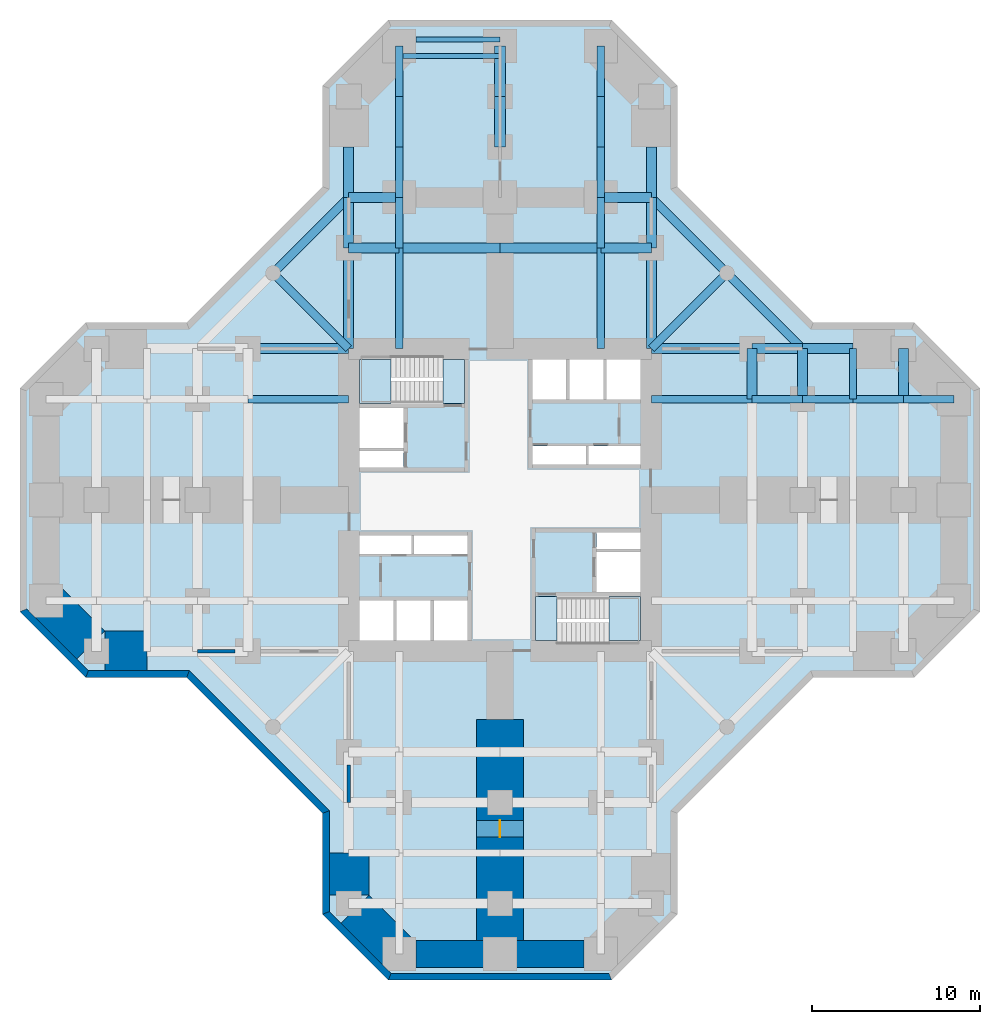
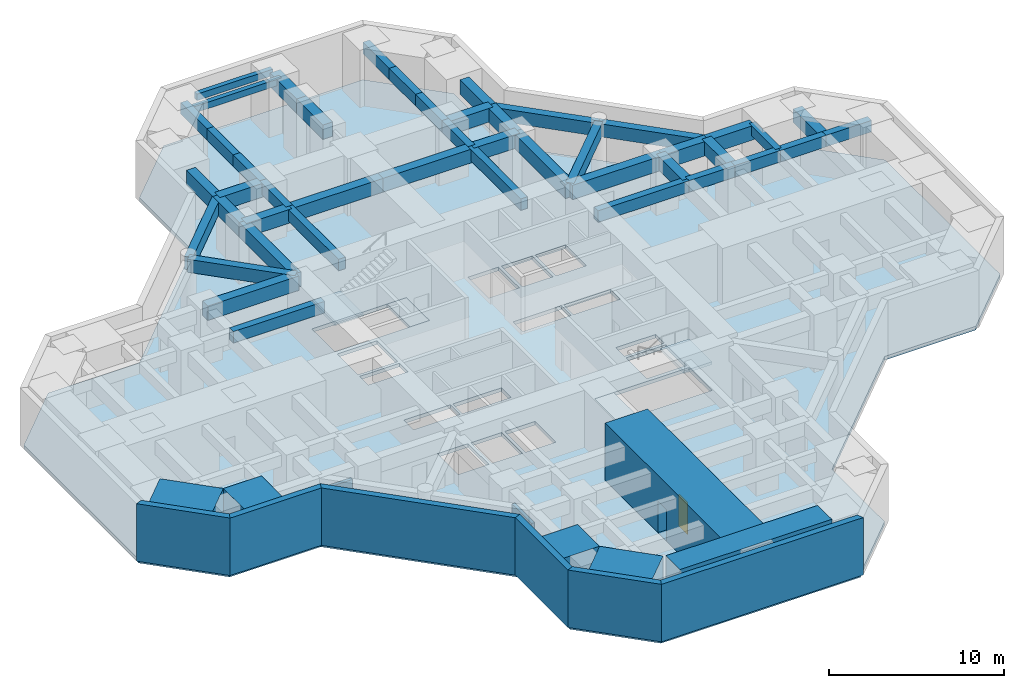
# One storey, part 2 of 6: 45 beams, 14 walls, 5 slabs, 1 door, 1 opening, 2 elements without a shape of their own.
"""IFC4 building model written with IfcOpenShell, lengths in metres."""

import ifcopenshell
import ifcopenshell.guid

model = None  # the IFC model being written
_history = None  # IfcOwnerHistory: only IFC2X3 demands one
_inside = {}  # id of a spatial element -> (the spatial element, [elements in it])
_under = {}  # id of a project, library or spatial element -> (it, [spatial elements below it])
_declared = {}  # id of a project -> (the project, [libraries it declares])
_typed = {}  # id of a type object -> (the type object, [elements of that type])
_made_of = {}  # id of a material, layer set ... -> (it, [elements and type objects made of it])


def new_model(schema):
    """Start an empty IFC model of exactly this schema.

    Asked for "IFC4X3", IfcOpenShell would pick the latest addendum, in which some entities
    have other attributes; the version numbers below select the first issue.
    IFC2X3 requires an IfcOwnerHistory on every rooted entity: one is made here for all.
    """
    global model, _history
    if schema == "IFC4X3":
        model = ifcopenshell.file(schema_version=(4, 3, 0, 0))
    else:
        model = ifcopenshell.file(schema=schema)
    _inside.clear()
    _under.clear()
    _declared.clear()
    _typed.clear()
    _made_of.clear()
    _history = None
    if model.schema == "IFC2X3":
        org = make("IfcOrganization", Name="unknown")
        user = make(
            "IfcPersonAndOrganization",
            ThePerson=make("IfcPerson", FamilyName="unknown"),
            TheOrganization=org,
        )
        app = make(
            "IfcApplication",
            ApplicationDeveloper=org,
            Version="unknown",
            ApplicationFullName="unknown",
            ApplicationIdentifier="unknown",
        )
        _history = make(
            "IfcOwnerHistory",
            OwningUser=user,
            OwningApplication=app,
            ChangeAction="ADDED",
            CreationDate=0,
        )
    return model


def make(cls, **values):
    """One entity of the class cls with the attributes given. An attribute that is None is left unset."""
    return model.create_entity(
        cls, **{name: value for name, value in values.items() if value is not None}
    )


def rooted(cls, **values):
    """An entity with a GlobalId (a new one), such as an element, a storey or a relation."""
    return make(cls, GlobalId=ifcopenshell.guid.new(), OwnerHistory=_history, **values)


def si_unit(unit_type, name, prefix=None):
    """IfcSIUnit, for example si_unit("LENGTHUNIT", "METRE", prefix="MILLI")."""
    return make("IfcSIUnit", UnitType=unit_type, Prefix=prefix, Name=name)


def assignment(units):
    """IfcUnitAssignment: the units of a project."""
    return None if units is None else make("IfcUnitAssignment", Units=units)


def point(xyz):
    """IfcCartesianPoint."""
    return None if xyz is None else make("IfcCartesianPoint", Coordinates=xyz)


def direction(xyz):
    """IfcDirection."""
    return None if xyz is None else make("IfcDirection", DirectionRatios=xyz)


def frame(location, z_axis=None, x_axis=None):
    """IfcAxis2Placement3D, a coordinate frame: its origin and axes. An axis left out is left unset."""
    return make(
        "IfcAxis2Placement3D",
        Location=point(location),
        Axis=direction(z_axis),
        RefDirection=direction(x_axis),
    )


def frame_2d(location, x_axis=None):
    """IfcAxis2Placement2D, a coordinate frame in the plane: its origin and x axis."""
    return make(
        "IfcAxis2Placement2D", Location=point(location), RefDirection=direction(x_axis)
    )


def origin():
    """The frame at (0, 0, 0) with its axes left unset."""
    return frame((0.0, 0.0, 0.0))


def origin_2d():
    """The frame at (0, 0) in the plane with its x axis left unset."""
    return frame_2d((0.0, 0.0))


def place(relative_to, where):
    """IfcLocalPlacement: puts the frame where relative to a parent placement (None: the world)."""
    return make(
        "IfcLocalPlacement", PlacementRelTo=relative_to, RelativePlacement=where
    )


def context(
    kind, dimensions, precision=None, world=None, true_north=None, identifier=None
):
    """IfcGeometricRepresentationContext, for example the 3D "Model" context."""
    return make(
        "IfcGeometricRepresentationContext",
        ContextIdentifier=identifier,
        ContextType=kind,
        CoordinateSpaceDimension=dimensions,
        Precision=precision,
        WorldCoordinateSystem=world,
        TrueNorth=true_north,
    )


def subcontext(parent, identifier, kind, view, scale=None):
    """IfcGeometricRepresentationSubContext, for example "Body" below "Model"."""
    return make(
        "IfcGeometricRepresentationSubContext",
        ContextIdentifier=identifier,
        ContextType=kind,
        ParentContext=parent,
        TargetScale=scale,
        TargetView=view,
    )


def project(units=None, contexts=None):
    """IfcProject with its units and contexts."""
    return rooted(
        "IfcProject",
        Name="project",
        RepresentationContexts=contexts,
        UnitsInContext=assignment(units),
    )


def spatial(cls, under=None, at=None, **own):
    """A site, building, storey or space (cls), placed at a placement, below another one or the project."""
    s = rooted(cls, ObjectPlacement=at, **own)
    if under is not None:
        _under.setdefault(under.id(), (under, []))[1].append(s)
    return s


def polyline(points):
    """IfcPolyline through the points."""
    return make("IfcPolyline", Points=[point(p) for p in points])


def profile(cls, at=None, kind="AREA", **sizes):
    """A parametric profile (cls). Its sizes go by their IFC names, for example OverallWidth=200.0."""
    return make(cls, ProfileType=kind, Position=at, **sizes)


def rectangle(**sizes):
    """IfcRectangleProfileDef."""
    return profile("IfcRectangleProfileDef", **sizes)


def outline(outer, holes=None, kind="AREA"):
    """IfcArbitraryClosedProfileDef: a profile drawn as a closed curve; with holes, ...WithVoids."""
    if holes is None:
        return make("IfcArbitraryClosedProfileDef", ProfileType=kind, OuterCurve=outer)
    return make(
        "IfcArbitraryProfileDefWithVoids",
        ProfileType=kind,
        OuterCurve=outer,
        InnerCurves=holes,
    )


def extrude(swept, where, along, depth):
    """IfcExtrudedAreaSolid: the profile swept, set in the frame where, extruded along a direction by depth."""
    return make(
        "IfcExtrudedAreaSolid",
        SweptArea=swept,
        Position=where,
        ExtrudedDirection=direction(along),
        Depth=depth,
    )


def shape(context_of_items, identifier, shape_type, items):
    """IfcShapeRepresentation: the items that make up one representation, for example the "Body"."""
    return make(
        "IfcShapeRepresentation",
        ContextOfItems=context_of_items,
        RepresentationIdentifier=identifier,
        RepresentationType=shape_type,
        Items=items,
    )


def material(Name=None, Category=None):
    """IfcMaterial."""
    return make("IfcMaterial", Name=Name, Category=Category)


def layer(
    of_material, thickness, ventilated=None, Name=None, Category=None, Priority=None
):
    """IfcMaterialLayer: one layer of a wall or slab, of a material (None: an air gap)."""
    return make(
        "IfcMaterialLayer",
        Material=of_material,
        LayerThickness=thickness,
        IsVentilated=ventilated,
        Name=Name,
        Category=Category,
        Priority=Priority,
    )


def layer_set(layers, Name=None):
    """IfcMaterialLayerSet."""
    return make("IfcMaterialLayerSet", MaterialLayers=layers, LayerSetName=Name)


def constituent(of_material, Name=None, Category=None, fraction=None):
    """IfcMaterialConstituent: one of the materials an element consists of."""
    return make(
        "IfcMaterialConstituent",
        Name=Name,
        Material=of_material,
        Fraction=fraction,
        Category=Category,
    )


def constituent_set(constituents=None, Name=None):
    """IfcMaterialConstituentSet."""
    return make(
        "IfcMaterialConstituentSet", Name=Name, MaterialConstituents=constituents
    )


def material_profile(
    of_material, cross_section, Name=None, Category=None, Priority=None
):
    """IfcMaterialProfile: a cross section and its material."""
    return make(
        "IfcMaterialProfile",
        Name=Name,
        Material=of_material,
        Profile=cross_section,
        Priority=Priority,
        Category=Category,
    )


def profile_set(profiles, Name=None, composite=None):
    """IfcMaterialProfileSet."""
    return make(
        "IfcMaterialProfileSet",
        Name=Name,
        MaterialProfiles=profiles,
        CompositeProfile=composite,
    )


def made_of(thing, what):
    """Note that an element or type object is made of a material, layer set ...; save() writes the relation."""
    if what is not None:
        _made_of.setdefault(what.id(), (what, []))[1].append(thing)
    return thing


def type_object(cls, material=None, **own):
    """A type object (cls), such as IfcWallType, which elements share."""
    return made_of(rooted(cls, **own), material)


def element(
    cls,
    number,
    at=None,
    inside=None,
    cuts=None,
    type_object=None,
    material=None,
    context=None,
    identifier="Body",
    shape_type=None,
    held_by="IfcProductDefinitionShape",
    body=None,
    shapes=None,
    **own,
):
    """One element of the class cls, such as IfcWall. Its Tag is "e" and its number.

    at: its placement. inside: the storey or other place that contains it. cuts: it is an
    opening in that element (IfcRelVoidsElement). A single representation is given by context,
    identifier, shape_type and body (its items); several are given by shapes. held_by: the class
    of the entity that holds the representations. save() writes the other relations.
    """
    e = rooted(cls, Tag="e%d" % number, ObjectPlacement=at, **own)
    if body is not None:
        shapes = [shape(context, identifier, shape_type, body)]
    if shapes is not None:
        e.Representation = make(held_by, Representations=shapes)
    if inside is not None:
        _inside.setdefault(inside.id(), (inside, []))[1].append(e)
    if cuts is not None:
        rooted(
            "IfcRelVoidsElement", RelatingBuildingElement=cuts, RelatedOpeningElement=e
        )
    if type_object is not None:
        _typed.setdefault(type_object.id(), (type_object, []))[1].append(e)
    return made_of(e, material)


def fill(opening, filler):
    """IfcRelFillsElement: the door or window that sits in an opening."""
    return rooted(
        "IfcRelFillsElement",
        RelatingOpeningElement=opening,
        RelatedBuildingElement=filler,
    )


def aggregate(whole, parts):
    """IfcRelAggregates: a whole, such as a stair, and the parts it consists of."""
    return rooted("IfcRelAggregates", RelatingObject=whole, RelatedObjects=parts)


def save(model, path):
    """Write the relations noted so far, then the file.

    IfcRelAggregates (storeys below a building ...), IfcRelContainedInSpatialStructure (elements
    in a storey), IfcRelDefinesByType, IfcRelAssociatesMaterial and IfcRelDeclares: one each for
    every whole, place, type object, material and project.
    """
    for whole, parts in _under.values():
        aggregate(whole, parts)
    for where, things in _inside.values():
        rooted(
            "IfcRelContainedInSpatialStructure",
            RelatedElements=things,
            RelatingStructure=where,
        )
    for kind, things in _typed.values():
        rooted("IfcRelDefinesByType", RelatedObjects=things, RelatingType=kind)
    for what, things in _made_of.values():
        rooted("IfcRelAssociatesMaterial", RelatedObjects=things, RelatingMaterial=what)
    for by, libraries in _declared.values():
        rooted("IfcRelDeclares", RelatingContext=by, RelatedDefinitions=libraries)
    model.write(path)


model = new_model("IFC4")

# Units and contexts
model_context = context("Model", 3, precision=1e-05, world=origin(), true_north=direction((0.0, 1.0)))
body_context = subcontext(model_context, "Body", "Model", "MODEL_VIEW")
ifc_project = project(units=[si_unit("LENGTHUNIT", "METRE"), si_unit("AREAUNIT", "SQUARE_METRE"), si_unit("VOLUMEUNIT", "CUBIC_METRE"), si_unit("PLANEANGLEUNIT", "RADIAN"), si_unit("MASSUNIT", "GRAM", prefix="KILO")], contexts=[model_context])

# Site, building, storey
site_placement = place(None, origin())
site = spatial("IfcSite", under=ifc_project, at=site_placement, CompositionType="ELEMENT")
building_placement = place(site_placement, origin())
building = spatial("IfcBuilding", under=site, at=building_placement, Name="Torre Cruceta", CompositionType="ELEMENT")
storey_placement = place(building_placement, frame((0.0, 0.0, -4.0)))
storey = spatial("IfcBuildingStorey", under=building, at=storey_placement, Name="B01", CompositionType="ELEMENT", Elevation=-4.0)

# Beams
ifc_material_1 = material(Name="Concrete G60 (fck 60 MPa)", Category="concrete")
ifc_material_profile_1 = material_profile(ifc_material_1, rectangle(XDim=0.64990234375, YDim=1.0, at=origin_2d()), Name="RC 650X1000")
ifc_profile_set_1 = profile_set([ifc_material_profile_1], Name="Concrete G60 (fck 60 MPa)")
beam_type_1 = type_object("IfcBeamType", Name="ARM CENTRE BEAM RC 650X1000", PredefinedType="BEAM", material=ifc_profile_set_1)
for number, where, z_axis, x_axis, name in (
    (1, (0.0, 21.0, 3.199951171875), (0.0, 1.0, 0.0), (-1.0, 0.0, 0.0), "MB1 B01 N centre 1"),
    (2, (0.0, 24.0, 3.199951171875), (0.0, 1.0, 0.0), (-1.0, 0.0, 0.0), "MB1 B01 N centre 2"),
):
    element("IfcBeam", number, at=place(storey_placement, frame(where, z_axis=z_axis, x_axis=x_axis)), inside=storey, type_object=beam_type_1, Name=name, PredefinedType="BEAM", context=body_context, shape_type="SweptSolid", body=[
        extrude(rectangle(XDim=0.64990234375, YDim=1.0, at=origin_2d()), origin(), (0.0, 0.0, 1.0), 3.0),
    ])
ifc_material_2 = material(Name="Concrete G60 (fck 60 MPa)", Category="concrete")
ifc_material_profile_2 = material_profile(ifc_material_2, rectangle(XDim=0.449951171875, YDim=0.800048828125, at=origin_2d()), Name="RC 450X800")
ifc_profile_set_2 = profile_set([ifc_material_profile_2], Name="Concrete G60 (fck 60 MPa)")
beam_type_2 = type_object("IfcBeamType", Name="COLUMN LINE BEAM RC 450X800", PredefinedType="BEAM", material=ifc_profile_set_2)
beam_1_placement = place(storey_placement, frame((6.0, 9.0, 3.300048828125), z_axis=(0.0, 1.0, 0.0), x_axis=(-1.0, 0.0, 0.0)))
element("IfcBeam", 3, at=beam_1_placement, inside=storey, type_object=beam_type_2, Name="LB1 B01 N col- 1", PredefinedType="BEAM", context=body_context, shape_type="SweptSolid", body=[
    extrude(rectangle(XDim=0.449951171875, YDim=0.800048828125, at=origin_2d()), origin(), (0.0, 0.0, 1.0), 6.0),
])
for number, where, z_axis, x_axis, name in (
    (4, (6.0, 15.0, 3.300048828125), (0.0, 1.0, 0.0), (-1.0, 0.0, 0.0), "LB1 B01 N col- 2"),
    (5, (6.0, 18.0, 3.300048828125), (0.0, 1.0, 0.0), (-1.0, 0.0, 0.0), "LB1 B01 N col- 3"),
    (6, (6.0, 21.0, 3.300048828125), (0.0, 1.0, 0.0), (-1.0, 0.0, 0.0), "LB1 B01 N col- 4"),
    (7, (6.0, 24.0, 3.300048828125), (0.0, 1.0, 0.0), (-1.0, 0.0, 0.0), "LB1 B01 N col- 5"),
):
    element("IfcBeam", number, at=place(storey_placement, frame(where, z_axis=z_axis, x_axis=x_axis)), inside=storey, type_object=beam_type_2, Name=name, PredefinedType="BEAM", context=body_context, shape_type="SweptSolid", body=[
        extrude(rectangle(XDim=0.449951171875, YDim=0.800048828125, at=origin_2d()), origin(), (0.0, 0.0, 1.0), 3.0),
    ])
beam_2_placement = place(storey_placement, frame((-6.0, 9.0, 3.300048828125), z_axis=(0.0, 1.0, 0.0), x_axis=(-1.0, 0.0, 0.0)))
element("IfcBeam", 8, at=beam_2_placement, inside=storey, type_object=beam_type_2, Name="LB1 B01 N col+ 1", PredefinedType="BEAM", context=body_context, shape_type="SweptSolid", body=[
    extrude(rectangle(XDim=0.449951171875, YDim=0.800048828125, at=origin_2d()), origin(), (0.0, 0.0, 1.0), 6.0),
])
for number, where, z_axis, x_axis, name in (
    (9, (-6.0, 15.0, 3.300048828125), (0.0, 1.0, 0.0), (-1.0, 0.0, 0.0), "LB1 B01 N col+ 2"),
    (10, (-6.0, 18.0, 3.300048828125), (0.0, 1.0, 0.0), (-1.0, 0.0, 0.0), "LB1 B01 N col+ 3"),
    (11, (-6.0, 21.0, 3.300048828125), (0.0, 1.0, 0.0), (-1.0, 0.0, 0.0), "LB1 B01 N col+ 4"),
    (12, (-6.0, 24.0, 3.300048828125), (0.0, 1.0, 0.0), (-1.0, 0.0, 0.0), "LB1 B01 N col+ 5"),
):
    element("IfcBeam", number, at=place(storey_placement, frame(where, z_axis=z_axis, x_axis=x_axis)), inside=storey, type_object=beam_type_2, Name=name, PredefinedType="BEAM", context=body_context, shape_type="SweptSolid", body=[
        extrude(rectangle(XDim=0.449951171875, YDim=0.800048828125, at=origin_2d()), origin(), (0.0, 0.0, 1.0), 3.0),
    ])
beam_3_placement = place(storey_placement, frame((9.0, 6.0, 3.300048828125), z_axis=(1.0, 0.0, 0.0), x_axis=(0.0, 1.0, 0.0)))
element("IfcBeam", 13, at=beam_3_placement, inside=storey, type_object=beam_type_2, Name="LB1 B01 E col+ 1", PredefinedType="BEAM", context=body_context, shape_type="SweptSolid", body=[
    extrude(rectangle(XDim=0.449951171875, YDim=0.800048828125, at=origin_2d()), origin(), (0.0, 0.0, 1.0), 6.0),
])
for number, where, z_axis, x_axis, name in (
    (14, (15.0, 6.0, 3.300048828125), (1.0, 0.0, 0.0), (0.0, 1.0, 0.0), "LB1 B01 E col+ 2"),
    (15, (18.0, 6.0, 3.300048828125), (1.0, 0.0, 0.0), (0.0, 1.0, 0.0), "LB1 B01 E col+ 3"),
    (16, (21.0, 6.0, 3.300048828125), (1.0, 0.0, 0.0), (0.0, 1.0, 0.0), "LB1 B01 E col+ 4"),
    (17, (24.0, 6.0, 3.300048828125), (1.0, 0.0, 0.0), (0.0, 1.0, 0.0), "LB1 B01 E col+ 5"),
):
    element("IfcBeam", number, at=place(storey_placement, frame(where, z_axis=z_axis, x_axis=x_axis)), inside=storey, type_object=beam_type_2, Name=name, PredefinedType="BEAM", context=body_context, shape_type="SweptSolid", body=[
        extrude(rectangle(XDim=0.449951171875, YDim=0.800048828125, at=origin_2d()), origin(), (0.0, 0.0, 1.0), 3.0),
    ])
beam_4_placement = place(storey_placement, frame((-9.0, 6.0, 3.300048828125), z_axis=(-1.0, 0.0, 0.0), x_axis=(0.0, -1.0, 0.0)))
element("IfcBeam", 18, at=beam_4_placement, inside=storey, type_object=beam_type_2, Name="LB1 B01 W col- 1", PredefinedType="BEAM", context=body_context, shape_type="SweptSolid", body=[
    extrude(rectangle(XDim=0.449951171875, YDim=0.800048828125, at=origin_2d()), origin(), (0.0, 0.0, 1.0), 6.0),
])
ifc_material_3 = material(Name="Concrete G60 (fck 60 MPa)", Category="concrete")
ifc_material_profile_3 = material_profile(ifc_material_3, rectangle(XDim=0.60009765625, YDim=0.949951171875, at=origin_2d()), Name="RC 600X950")
ifc_profile_set_3 = profile_set([ifc_material_profile_3], Name="Concrete G60 (fck 60 MPa)")
beam_type_3 = type_object("IfcBeamType", Name="CROSS BEAM RC 600X950", PredefinedType="BEAM", material=ifc_profile_set_3)
beam_5_placement = place(storey_placement, frame((9.0, 15.0, 3.22509765625), z_axis=(-1.0, 0.0, 0.0), x_axis=(0.0, -1.0, 0.0)))
element("IfcBeam", 19, at=beam_5_placement, inside=storey, type_object=beam_type_3, Name="GB1 B01 N cross15 1", PredefinedType="BEAM", context=body_context, shape_type="SweptSolid", body=[
    extrude(rectangle(XDim=0.60009765625, YDim=0.949951171875, at=origin_2d()), origin(), (0.0, 0.0, 1.0), 3.0),
])
for number, where, z_axis, x_axis, name in (
    (20, (6.0, 15.0, 3.22509765625), (-1.0, 0.0, 0.0), (0.0, -1.0, 0.0), "GB1 B01 N cross15 2"),
    (21, (0.0, 15.0, 3.22509765625), (-1.0, 0.0, 0.0), (0.0, -1.0, 0.0), "GB1 B01 N cross15 3"),
):
    element("IfcBeam", number, at=place(storey_placement, frame(where, z_axis=z_axis, x_axis=x_axis)), inside=storey, type_object=beam_type_3, Name=name, PredefinedType="BEAM", context=body_context, shape_type="SweptSolid", body=[
        extrude(rectangle(XDim=0.60009765625, YDim=0.949951171875, at=origin_2d()), origin(), (0.0, 0.0, 1.0), 6.0),
    ])
for number, where, z_axis, x_axis, name in (
    (22, (-6.0, 15.0, 3.22509765625), (-1.0, 0.0, 0.0), (0.0, -1.0, 0.0), "GB1 B01 N cross15 4"),
    (23, (9.0, 18.0, 3.22509765625), (-1.0, 0.0, 0.0), (0.0, -1.0, 0.0), "GB1 B01 N cross18 1"),
    (24, (-6.0, 18.0, 3.22509765625), (-1.0, 0.0, 0.0), (0.0, -1.0, 0.0), "GB1 B01 N cross18b 1"),
    (25, (15.0, 6.0, 3.22509765625), (0.0, 1.0, 0.0), (-1.0, 0.0, 0.0), "GB1 B01 E cross15 4"),
    (26, (18.0, 6.0, 3.22509765625), (0.0, 1.0, 0.0), (-1.0, 0.0, 0.0), "GB1 B01 E cross18 4"),
    (27, (24.0, 6.0, 3.22509765625), (0.0, 1.0, 0.0), (-1.0, 0.0, 0.0), "GB1 B01 E cross24 4"),
):
    element("IfcBeam", number, at=place(storey_placement, frame(where, z_axis=z_axis, x_axis=x_axis)), inside=storey, type_object=beam_type_3, Name=name, PredefinedType="BEAM", context=body_context, shape_type="SweptSolid", body=[
        extrude(rectangle(XDim=0.60009765625, YDim=0.949951171875, at=origin_2d()), origin(), (0.0, 0.0, 1.0), 3.0),
    ])
ifc_material_4 = material(Name="Concrete G60 (fck 60 MPa)", Category="concrete")
ifc_material_profile_4 = material_profile(ifc_material_4, rectangle(XDim=0.39990234375, YDim=0.699951171875, at=origin_2d()), Name="RC 400X700")
ifc_profile_set_4 = profile_set([ifc_material_profile_4], Name="Concrete G60 (fck 60 MPa)")
beam_type_4 = type_object("IfcBeamType", Name="SECONDARY BEAM RC 400X700", PredefinedType="JOIST", material=ifc_profile_set_4)
beam_6_placement = place(storey_placement, frame((21.0, 6.0, 3.35009765625), z_axis=(0.0, 1.0, 0.0), x_axis=(-1.0, 0.0, 0.0)))
element("IfcBeam", 28, at=beam_6_placement, inside=storey, type_object=beam_type_4, Name="JB1 B01 E sec21 4", PredefinedType="JOIST", context=body_context, shape_type="SweptSolid", body=[
    extrude(rectangle(XDim=0.39990234375, YDim=0.699951171875, at=origin_2d()), origin(), (0.0, 0.0, 1.0), 3.0),
])
ifc_material_5 = material(Name="Concrete G60 (fck 60 MPa)", Category="concrete")
ifc_material_profile_5 = material_profile(ifc_material_5, rectangle(XDim=0.60009765625, YDim=1.0, at=origin_2d()), Name="RC 600X1000")
ifc_profile_set_5 = profile_set([ifc_material_profile_5], Name="Concrete G60 (fck 60 MPa)")
beam_type_5 = type_object("IfcBeamType", Name="SPANDREL BEAM RC 600X1000", PredefinedType="SPANDREL", material=ifc_profile_set_5)
beam_7_placement = place(storey_placement, frame((9.0, 9.0, 3.199951171875), z_axis=(0.0, 1.0, 0.0), x_axis=(-1.0, 0.0, 0.0)))
element("IfcBeam", 29, at=beam_7_placement, inside=storey, type_object=beam_type_5, Name="SB1 B01 N side- 1", PredefinedType="SPANDREL", context=body_context, shape_type="SweptSolid", body=[
    extrude(rectangle(XDim=0.60009765625, YDim=1.0, at=origin_2d()), origin(), (0.0, 0.0, 1.0), 6.0),
])
for number, where, z_axis, x_axis, name in (
    (30, (9.0, 15.0, 3.199951171875), (0.0, 1.0, 0.0), (-1.0, 0.0, 0.0), "SB1 B01 N side- 2"),
    (31, (9.0, 18.0, 3.199951171875), (0.0, 1.0, 0.0), (-1.0, 0.0, 0.0), "SB1 B01 N side- 3"),
):
    element("IfcBeam", number, at=place(storey_placement, frame(where, z_axis=z_axis, x_axis=x_axis)), inside=storey, type_object=beam_type_5, Name=name, PredefinedType="SPANDREL", context=body_context, shape_type="SweptSolid", body=[
        extrude(rectangle(XDim=0.60009765625, YDim=1.0, at=origin_2d()), origin(), (0.0, 0.0, 1.0), 3.0),
    ])
beam_8_placement = place(storey_placement, frame((-9.0, 9.0, 3.199951171875), z_axis=(0.0, 1.0, 0.0), x_axis=(-1.0, 0.0, 0.0)))
element("IfcBeam", 32, at=beam_8_placement, inside=storey, type_object=beam_type_5, Name="SB1 B01 N side+ 1", PredefinedType="SPANDREL", context=body_context, shape_type="SweptSolid", body=[
    extrude(rectangle(XDim=0.60009765625, YDim=1.0, at=origin_2d()), origin(), (0.0, 0.0, 1.0), 6.0),
])
for number, where, z_axis, x_axis, name in (
    (33, (-9.0, 15.0, 3.199951171875), (0.0, 1.0, 0.0), (-1.0, 0.0, 0.0), "SB1 B01 N side+ 2"),
    (34, (-9.0, 18.0, 3.199951171875), (0.0, 1.0, 0.0), (-1.0, 0.0, 0.0), "SB1 B01 N side+ 3"),
):
    element("IfcBeam", number, at=place(storey_placement, frame(where, z_axis=z_axis, x_axis=x_axis)), inside=storey, type_object=beam_type_5, Name=name, PredefinedType="SPANDREL", context=body_context, shape_type="SweptSolid", body=[
        extrude(rectangle(XDim=0.60009765625, YDim=1.0, at=origin_2d()), origin(), (0.0, 0.0, 1.0), 3.0),
    ])
beam_9_placement = place(storey_placement, frame((9.0, 9.0, 3.199951171875), z_axis=(1.0, 0.0, 0.0), x_axis=(0.0, 1.0, 0.0)))
element("IfcBeam", 35, at=beam_9_placement, inside=storey, type_object=beam_type_5, Name="SB1 B01 E side+ 1", PredefinedType="SPANDREL", context=body_context, shape_type="SweptSolid", body=[
    extrude(rectangle(XDim=0.60009765625, YDim=1.0, at=origin_2d()), origin(), (0.0, 0.0, 1.0), 6.0),
])
for number, where, z_axis, x_axis, name in (
    (36, (15.0, 9.0, 3.199951171875), (1.0, 0.0, 0.0), (0.0, 1.0, 0.0), "SB1 B01 E side+ 2"),
    (37, (18.0, 9.0, 3.199951171875), (1.0, 0.0, 0.0), (0.0, 1.0, 0.0), "SB1 B01 E side+ 3"),
):
    element("IfcBeam", number, at=place(storey_placement, frame(where, z_axis=z_axis, x_axis=x_axis)), inside=storey, type_object=beam_type_5, Name=name, PredefinedType="SPANDREL", context=body_context, shape_type="SweptSolid", body=[
        extrude(rectangle(XDim=0.60009765625, YDim=1.0, at=origin_2d()), origin(), (0.0, 0.0, 1.0), 3.0),
    ])
beam_10_placement = place(storey_placement, frame((-9.0, 9.0, 3.199951171875), z_axis=(-1.0, 0.0, 0.0), x_axis=(0.0, -1.0, 0.0)))
element("IfcBeam", 38, at=beam_10_placement, inside=storey, type_object=beam_type_5, Name="SB1 B01 W side- 1", PredefinedType="SPANDREL", context=body_context, shape_type="SweptSolid", body=[
    extrude(rectangle(XDim=0.60009765625, YDim=1.0, at=origin_2d()), origin(), (0.0, 0.0, 1.0), 6.0),
])
ifc_material_6 = material(Name="Concrete G60 (fck 60 MPa)", Category="concrete")
ifc_material_profile_6 = material_profile(ifc_material_6, rectangle(XDim=0.300048828125, YDim=0.449951171875, at=origin_2d()), Name="RC 300X450")
ifc_profile_set_6 = profile_set([ifc_material_profile_6], Name="Concrete G60 (fck 60 MPa)")
beam_type_6 = type_object("IfcBeamType", Name="STAIR TRIMMER BEAM RC 300X450", PredefinedType="BEAM", material=ifc_profile_set_6)
beam_11_placement = place(storey_placement, frame((0.0, 26.39990234375, 3.47509765625), z_axis=(-1.0, 0.0, 0.0), x_axis=(0.0, -1.0, 0.0)))
element("IfcBeam", 39, at=beam_11_placement, inside=storey, type_object=beam_type_6, Name="TB1 stair trimmer beam ST3 1", PredefinedType="BEAM", context=body_context, shape_type="SweptSolid", body=[
    extrude(rectangle(XDim=0.300048828125, YDim=0.449951171875, at=origin_2d()), origin(), (0.0, 0.0, 1.0), 6.0),
])
beam_12_placement = place(storey_placement, frame((0.0, 27.39990234375, 3.47509765625), z_axis=(-1.0, 0.0, 0.0), x_axis=(0.0, -1.0, 0.0)))
element("IfcBeam", 40, at=beam_12_placement, inside=storey, type_object=beam_type_6, Name="TB1 stair trimmer beam ST3 2", PredefinedType="BEAM", context=body_context, shape_type="SweptSolid", body=[
    extrude(rectangle(XDim=0.300048828125, YDim=0.449951171875, at=origin_2d()), origin(), (0.0, 0.0, 1.0), 5.0),
])
ifc_material_7 = material(Name="Concrete G60 (fck 60 MPa)", Category="concrete")
ifc_material_profile_7 = material_profile(ifc_material_7, rectangle(XDim=0.5, YDim=0.89990234375, at=origin_2d()), Name="RC 500X900")
ifc_profile_set_7 = profile_set([ifc_material_profile_7], Name="Concrete G60 (fck 60 MPa)")
beam_type_7 = type_object("IfcBeamType", Name="WING EDGE BEAM RC 500X900", PredefinedType="BEAM", material=ifc_profile_set_7)
for number, where, z_axis, x_axis, name in (
    (41, (-9.0, 18.0, 3.25), (-0.707106781187, -0.707106781187, 0.0), (0.707106781187, -0.707106781187, 0.0), "WB1 B01 N wing 1"),
    (42, (-9.0, 9.0, 3.25), (-0.707106781187, 0.707106781187, 0.0), (-0.707106781187, -0.707106781187, 0.0), "WB1 B01 N wingtie 1"),
    (43, (18.0, 9.0, 3.25), (-0.707106781187, 0.707106781187, 0.0), (-0.707106781187, -0.707106781187, 0.0), "WB1 B01 E wing 1"),
    (44, (13.5, 13.5, 3.25), (-0.707106781187, 0.707106781187, 0.0), (-0.707106781187, -0.707106781187, 0.0), "WB1 B01 E wing 2"),
    (45, (9.0, 9.0, 3.25), (0.707106781187, 0.707106781187, 0.0), (-0.707106781187, 0.707106781187, 0.0), "WB1 B01 E wingtie 1"),
):
    element("IfcBeam", number, at=place(storey_placement, frame(where, z_axis=z_axis, x_axis=x_axis)), inside=storey, type_object=beam_type_7, Name=name, PredefinedType="BEAM", context=body_context, shape_type="SweptSolid", body=[
        extrude(rectangle(XDim=0.5, YDim=0.89990234375, at=origin_2d()), origin(), (0.0, 0.0, 1.0), 6.364013671875),
    ])

# Slab
ifc_material_8 = material(Name="Concrete G35 (fck 35 MPa)", Category="concrete")
ifc_layer_1 = layer(ifc_material_8, 0.25)
ifc_layer_set_1 = layer_set([ifc_layer_1], Name="Concrete G35 (fck 35 MPa)")
slab_type_1 = type_object("IfcSlabType", Name="FLOOR SLAB 250", PredefinedType="FLOOR", material=ifc_layer_set_1)
slab_1_placement = place(storey_placement, frame((0.0, 0.0, -0.25)))
element("IfcSlab", 46, at=slab_1_placement, inside=storey, type_object=slab_type_1, Name="Floor Slab B01", PredefinedType="FLOOR", context=body_context, shape_type="SweptSolid", body=[
    extrude(outline(polyline([(18.55908203125, -10.35009765625), (10.35009765625, -18.55908203125), (10.35009765625, -24.55908203125), (6.55908203125, -28.35009765625), (-6.55908203125, -28.35009765625), (-10.35009765625, -24.55908203125), (-10.35009765625, -18.55908203125), (-18.55908203125, -10.35009765625), (-24.55908203125, -10.35009765625), (-28.35009765625, -6.55908203125), (-28.35009765625, 6.55908203125), (-24.55908203125, 10.35009765625), (-18.55908203125, 10.35009765625), (-10.35009765625, 18.55908203125), (-10.35009765625, 24.55908203125), (-6.55908203125, 28.35009765625), (6.55908203125, 28.35009765625), (10.35009765625, 24.55908203125), (10.35009765625, 18.55908203125), (18.55908203125, 10.35009765625), (24.55908203125, 10.35009765625), (28.35009765625, 6.55908203125), (28.35009765625, -6.55908203125), (24.55908203125, -10.35009765625), (18.55908203125, -10.35009765625)]), holes=[polyline([(1.925048828125, 5.97509765625), (3.933349609375, 5.97509765625), (3.933349609375, 8.35009765625), (1.925048828125, 8.35009765625), (1.925048828125, 5.97509765625)]), polyline([(4.13330078125, 5.97509765625), (6.1416015625, 5.97509765625), (6.1416015625, 8.35009765625), (4.13330078125, 8.35009765625), (4.13330078125, 5.97509765625)]), polyline([(6.341552734375, 5.97509765625), (8.35009765625, 5.97509765625), (8.35009765625, 8.35009765625), (6.341552734375, 8.35009765625), (6.341552734375, 5.97509765625)]), polyline([(1.925048828125, 2.125), (5.125, 2.125), (5.125, 3.22509765625), (1.925048828125, 3.22509765625), (1.925048828125, 2.125)]), polyline([(5.27490234375, 2.125), (8.35009765625, 2.125), (8.35009765625, 3.22509765625), (5.27490234375, 3.22509765625), (5.27490234375, 2.125)]), polyline([(-8.35009765625, 3.10009765625), (-5.72509765625, 3.10009765625), (-5.72509765625, 5.47509765625), (-8.35009765625, 5.47509765625), (-8.35009765625, 3.10009765625)]), polyline([(-8.35009765625, 1.925048828125), (-5.72509765625, 1.925048828125), (-5.72509765625, 2.89990234375), (-8.35009765625, 2.89990234375), (-8.35009765625, 1.925048828125)]), polyline([(-3.933349609375, -8.35009765625), (-1.925048828125, -8.35009765625), (-1.925048828125, -5.97509765625), (-3.933349609375, -5.97509765625), (-3.933349609375, -8.35009765625)]), polyline([(-6.1416015625, -8.35009765625), (-4.13330078125, -8.35009765625), (-4.13330078125, -5.97509765625), (-6.1416015625, -5.97509765625), (-6.1416015625, -8.35009765625)]), polyline([(-8.35009765625, -8.35009765625), (-6.341552734375, -8.35009765625), (-6.341552734375, -5.97509765625), (-8.35009765625, -5.97509765625), (-8.35009765625, -8.35009765625)]), polyline([(-5.125, -3.22509765625), (-1.925048828125, -3.22509765625), (-1.925048828125, -2.125), (-5.125, -2.125), (-5.125, -3.22509765625)]), polyline([(-8.35009765625, -3.22509765625), (-5.27490234375, -3.22509765625), (-5.27490234375, -2.125), (-8.35009765625, -2.125), (-8.35009765625, -3.22509765625)]), polyline([(5.72509765625, -5.47509765625), (8.35009765625, -5.47509765625), (8.35009765625, -3.10009765625), (5.72509765625, -3.10009765625), (5.72509765625, -5.47509765625)]), polyline([(5.72509765625, -2.89990234375), (8.35009765625, -2.89990234375), (8.35009765625, -1.925048828125), (5.72509765625, -1.925048828125), (5.72509765625, -2.89990234375)]), polyline([(-8.35009765625, 5.72509765625), (-8.35009765625, 8.35009765625), (-3.39990234375, 8.35009765625), (-2.125, 8.35009765625), (-2.125, 5.72509765625), (-3.39990234375, 5.72509765625), (-8.35009765625, 5.72509765625)]), polyline([(2.125, -5.72509765625), (3.39990234375, -5.72509765625), (8.35009765625, -5.72509765625), (8.35009765625, -8.35009765625), (3.39990234375, -8.35009765625), (2.125, -8.35009765625), (2.125, -5.72509765625)])]), origin(), (0.0, 0.0, 1.0), 0.25),
])

# Stair, slab
ifc_material_9 = material(Name="Concrete G30 (fck 30 MPa)", Category="concrete")
stair_type = type_object("IfcStairType", Name="STAIR HALF-TURN 1300", PredefinedType="HALF_TURN_STAIR", material=ifc_material_9)
stair_1_placement = place(storey_placement, origin())
stair_1 = element("IfcStair", 47, at=stair_1_placement, inside=storey, type_object=stair_type, Name="Stair ST1 B01", PredefinedType="HALF_TURN_STAIR")
ifc_material_10 = material(Name="Concrete G30 (fck 30 MPa)", Category="concrete")
ifc_layer_2 = layer(ifc_material_10, 0.199951171875)
ifc_layer_set_2 = layer_set([ifc_layer_2], Name="Concrete G30 (fck 30 MPa)")
slab_type_2 = type_object("IfcSlabType", Name="STAIR LANDING 200", PredefinedType="LANDING", material=ifc_layer_set_2)
slab_2_placement = place(storey_placement, frame((0.0, 0.0, 1.800048828125)))
slab_2 = element("IfcSlab", 48, at=slab_2_placement, type_object=slab_type_2, Name="ST1 landing 1", PredefinedType="LANDING", context=body_context, shape_type="SweptSolid", body=[
    extrude(outline(polyline([(-8.35009765625, 5.72509765625), (-6.47998046875, 5.72509765625), (-6.47998046875, 8.35009765625), (-8.35009765625, 8.35009765625), (-8.35009765625, 5.72509765625)])), origin(), (0.0, 0.0, 1.0), 0.199951171875),
])
aggregate(stair_1, [slab_2])

stair_2_placement = place(storey_placement, origin())
stair_2 = element("IfcStair", 49, at=stair_2_placement, inside=storey, type_object=stair_type, Name="Stair ST2 B01", PredefinedType="HALF_TURN_STAIR")
slab_3_placement = place(storey_placement, frame((0.0, 0.0, 1.800048828125)))
slab_3 = element("IfcSlab", 50, at=slab_3_placement, type_object=slab_type_2, Name="ST2 landing 1", PredefinedType="LANDING", context=body_context, shape_type="SweptSolid", body=[
    extrude(outline(polyline([(6.47998046875, -8.35009765625), (8.35009765625, -8.35009765625), (8.35009765625, -5.72509765625), (6.47998046875, -5.72509765625), (6.47998046875, -8.35009765625)])), origin(), (0.0, 0.0, 1.0), 0.199951171875),
])
aggregate(stair_2, [slab_3])

# Slabs
slab_4_placement = place(storey_placement, frame((0.0, 0.0, -0.199951171875)))
element("IfcSlab", 51, at=slab_4_placement, inside=storey, type_object=slab_type_2, Name="Stair ST1 floor landing B01", PredefinedType="LANDING", context=body_context, shape_type="SweptSolid", body=[
    extrude(outline(polyline([(-2.125, 8.35009765625), (-2.125, 5.72509765625), (-3.39990234375, 5.72509765625), (-3.39990234375, 8.35009765625), (-2.125, 8.35009765625)])), origin(), (0.0, 0.0, 1.0), 0.199951171875),
])
slab_5_placement = place(storey_placement, frame((0.0, 0.0, -0.199951171875)))
element("IfcSlab", 52, at=slab_5_placement, inside=storey, type_object=slab_type_2, Name="Stair ST2 floor landing B01", PredefinedType="LANDING", context=body_context, shape_type="SweptSolid", body=[
    extrude(outline(polyline([(2.125, -8.35009765625), (2.125, -5.72509765625), (3.39990234375, -5.72509765625), (3.39990234375, -8.35009765625), (2.125, -8.35009765625)])), origin(), (0.0, 0.0, 1.0), 0.199951171875),
])

# Walls
ifc_material_11 = material(Name="Concrete G60 (fck 60 MPa)", Category="concrete")
ifc_layer_3 = layer(ifc_material_11, 2.39990234375)
ifc_layer_set_3 = layer_set([ifc_layer_3], Name="Concrete G60 (fck 60 MPa)")
wall_type_1 = type_object("IfcWallType", Name="BASEMENT ARM WALL 2400 G60", PredefinedType="SHEAR", material=ifc_layer_set_3)
wall_1_placement = place(storey_placement, frame((-9.0, -21.0, 0.0), z_axis=(0.0, 0.0, 1.0), x_axis=(0.0, -1.0, 0.0)))
element("IfcWall", 53, at=wall_1_placement, inside=storey, type_object=wall_type_1, Name="BW1 basement arm wall B01 S R1", PredefinedType="SHEAR", context=body_context, shape_type="SweptSolid", body=[
    extrude(rectangle(XDim=2.5029296875, YDim=2.39990234375, at=frame_2d((1.25146484375, 0.0))), origin(), (0.0, 0.0, 1.0), 4.0),
])
wall_2_placement = place(storey_placement, frame((-8.6484375, -24.3515625, 0.0), z_axis=(0.0, 0.0, 1.0), x_axis=(0.707106781187, -0.707106781187, 0.0)))
element("IfcWall", 54, at=wall_2_placement, inside=storey, type_object=wall_type_1, Name="BW1 basement arm wall B01 S R2", PredefinedType="SHEAR", context=body_context, shape_type="SweptSolid", body=[
    extrude(rectangle(XDim=3.745361328125, YDim=2.39990234375, at=frame_2d((1.87255859375, 0.0))), origin(), (0.0, 0.0, 1.0), 4.0),
])
wall_3_placement = place(storey_placement, frame((-21.0, -9.0, 0.0), z_axis=(0.0, 0.0, 1.0), x_axis=(-1.0, 0.0, 0.0)))
element("IfcWall", 55, at=wall_3_placement, inside=storey, type_object=wall_type_1, Name="BW1 basement arm wall B01 W L1", PredefinedType="SHEAR", context=body_context, shape_type="SweptSolid", body=[
    extrude(rectangle(XDim=2.5029296875, YDim=2.39990234375, at=frame_2d((1.25146484375, 0.0))), origin(), (0.0, 0.0, 1.0), 4.0),
])
wall_4_placement = place(storey_placement, frame((-24.3515625, -8.6484375, 0.0), z_axis=(0.0, 0.0, 1.0), x_axis=(-0.707106781187, 0.707106781187, 0.0)))
element("IfcWall", 56, at=wall_4_placement, inside=storey, type_object=wall_type_1, Name="BW1 basement arm wall B01 W L2", PredefinedType="SHEAR", context=body_context, shape_type="SweptSolid", body=[
    extrude(rectangle(XDim=3.745361328125, YDim=2.39990234375, at=frame_2d((1.87255859375, 0.0))), origin(), (0.0, 0.0, 1.0), 4.0),
])
ifc_material_12 = material(Name="Concrete G45 (fck 45 MPa)", Category="concrete")
ifc_layer_4 = layer(ifc_material_12, 0.39990234375)
ifc_layer_set_4 = layer_set([ifc_layer_4], Name="Concrete G45 (fck 45 MPa)")
wall_type_2 = type_object("IfcWallType", Name="BASEMENT RETAINING WALL 400", PredefinedType="SOLIDWALL", material=ifc_layer_set_4)
wall_5_placement = place(storey_placement, origin())
element("IfcWall", 57, at=wall_5_placement, inside=storey, type_object=wall_type_2, Name="Retaining wall RW1 B01-04", PredefinedType="SOLIDWALL", context=body_context, shape_type="SweptSolid", body=[
    extrude(outline(polyline([(6.476318359375, -28.14990234375), (6.64208984375, -28.550048828125), (-6.64208984375, -28.550048828125), (-6.476318359375, -28.14990234375), (6.476318359375, -28.14990234375)])), origin(), (0.0, 0.0, 1.0), 4.0),
])
wall_6_placement = place(storey_placement, origin())
element("IfcWall", 58, at=wall_6_placement, inside=storey, type_object=wall_type_2, Name="Retaining wall RW1 B01-05", PredefinedType="SOLIDWALL", context=body_context, shape_type="SweptSolid", body=[
    extrude(outline(polyline([(-6.476318359375, -28.14990234375), (-6.64208984375, -28.550048828125), (-10.550048828125, -24.64208984375), (-10.14990234375, -24.476318359375), (-6.476318359375, -28.14990234375)])), origin(), (0.0, 0.0, 1.0), 4.0),
])
wall_7_placement = place(storey_placement, origin())
element("IfcWall", 59, at=wall_7_placement, inside=storey, type_object=wall_type_2, Name="Retaining wall RW1 B01-06", PredefinedType="SOLIDWALL", context=body_context, shape_type="SweptSolid", body=[
    extrude(outline(polyline([(-10.14990234375, -24.476318359375), (-10.550048828125, -24.64208984375), (-10.550048828125, -18.64208984375), (-10.14990234375, -18.476318359375), (-10.14990234375, -24.476318359375)])), origin(), (0.0, 0.0, 1.0), 4.0),
])
wall_8_placement = place(storey_placement, origin())
element("IfcWall", 60, at=wall_8_placement, inside=storey, type_object=wall_type_2, Name="Retaining wall RW1 B01-07", PredefinedType="SOLIDWALL", context=body_context, shape_type="SweptSolid", body=[
    extrude(outline(polyline([(-10.14990234375, -18.476318359375), (-10.550048828125, -18.64208984375), (-18.64208984375, -10.550048828125), (-18.476318359375, -10.14990234375), (-10.14990234375, -18.476318359375)])), origin(), (0.0, 0.0, 1.0), 4.0),
])
wall_9_placement = place(storey_placement, origin())
element("IfcWall", 61, at=wall_9_placement, inside=storey, type_object=wall_type_2, Name="Retaining wall RW1 B01-08", PredefinedType="SOLIDWALL", context=body_context, shape_type="SweptSolid", body=[
    extrude(outline(polyline([(-18.476318359375, -10.14990234375), (-18.64208984375, -10.550048828125), (-24.64208984375, -10.550048828125), (-24.476318359375, -10.14990234375), (-18.476318359375, -10.14990234375)])), origin(), (0.0, 0.0, 1.0), 4.0),
])
wall_10_placement = place(storey_placement, origin())
element("IfcWall", 62, at=wall_10_placement, inside=storey, type_object=wall_type_2, Name="Retaining wall RW1 B01-09", PredefinedType="SOLIDWALL", context=body_context, shape_type="SweptSolid", body=[
    extrude(outline(polyline([(-24.476318359375, -10.14990234375), (-24.64208984375, -10.550048828125), (-28.550048828125, -6.64208984375), (-28.14990234375, -6.476318359375), (-24.476318359375, -10.14990234375)])), origin(), (0.0, 0.0, 1.0), 4.0),
])
ifc_material_13 = material(Name="Concrete G60 (fck 60 MPa)", Category="concrete")
ifc_layer_5 = layer(ifc_material_13, 1.60009765625)
ifc_layer_set_5 = layer_set([ifc_layer_5], Name="Concrete G60 (fck 60 MPa)")
wall_type_3 = type_object("IfcWallType", Name="NOSE WALL 1600 G60", PredefinedType="SHEAR", material=ifc_layer_set_5)
wall_11_placement = place(storey_placement, frame((-5.0, -27.0, 0.0), z_axis=(0.0, 0.0, 1.0), x_axis=(1.0, 0.0, 0.0)))
element("IfcWall", 63, at=wall_11_placement, inside=storey, type_object=wall_type_3, Name="NW0 nose wall B01 S", PredefinedType="SHEAR", context=body_context, shape_type="SweptSolid", body=[
    extrude(rectangle(XDim=10.0, YDim=1.60009765625, at=frame_2d((5.0, 0.0))), origin(), (0.0, 0.0, 1.0), 4.0),
])

# Wall, opening, door
ifc_material_14 = material(Name="Concrete G60 (fck 60 MPa)", Category="concrete")
ifc_layer_6 = layer(ifc_material_14, 2.800048828125)
ifc_layer_set_6 = layer_set([ifc_layer_6], Name="Concrete G60 (fck 60 MPa)")
wall_type_4 = type_object("IfcWallType", Name="SPINE WALL 2800 G60", PredefinedType="SHEAR", material=ifc_layer_set_6)
wall_12_placement = place(storey_placement, frame((0.0, -13.050048828125, 0.0), z_axis=(0.0, 0.0, 1.0), x_axis=(0.0, -1.0, 0.0)))
wall_12 = element("IfcWall", 64, at=wall_12_placement, inside=storey, type_object=wall_type_4, Name="SW8 spine wall B01 S", PredefinedType="SHEAR", context=body_context, shape_type="SweptSolid", body=[
    extrude(rectangle(XDim=13.949951171875, YDim=2.800048828125, at=frame_2d((6.97509765625, 0.0))), origin(), (0.0, 0.0, 1.0), 4.0),
])
opening_placement = place(wall_12_placement, frame((6.0, 0.0, 0.0)))
opening = element("IfcOpeningElement", 65, at=opening_placement, cuts=wall_12, Name="Opening D14", PredefinedType="OPENING", context=body_context, shape_type="SweptSolid", body=[
    extrude(rectangle(XDim=1.0, YDim=2.199951171875, at=frame_2d((0.5, 1.10009765625))), frame((0.0, 1.409912109375, 0.0), z_axis=(0.0, -1.0, 0.0), x_axis=(1.0, 0.0, 0.0)), (0.0, 0.0, 1.0), 2.820068359375),
])
ifc_material_15 = material(Name="Steel DX51D", Category="steel")
ifc_constituent_1 = constituent(ifc_material_15, Name="Leaf and frame")
ifc_material_16 = material(Name="Polyester powder coating", Category="paint")
ifc_constituent_2 = constituent(ifc_material_16, Name="Finish")
ifc_material_17 = material(Name="Fire-resisting glass", Category="glass")
ifc_constituent_3 = constituent(ifc_material_17, Name="Vision panel")
ifc_constituent_set = constituent_set(constituents=[ifc_constituent_1, ifc_constituent_2, ifc_constituent_3], Name="Steel fire door with vision panel")
door_type = type_object("IfcDoorType", Name="FIRE DOOR VISION PANEL 1000X2200", OperationType="SINGLE_SWING_RIGHT", PredefinedType="DOOR", material=ifc_constituent_set)
door_placement = place(opening_placement, frame((1.0, 0.0, 0.0), z_axis=(0.0, 0.0, 1.0), x_axis=(-1.0, 0.0, 0.0)))
door = element("IfcDoor", 66, at=door_placement, inside=storey, type_object=door_type, Name="D14 B01-S-SP1", OperationType="SINGLE_SWING_LEFT", OverallHeight=2.199951171875, OverallWidth=1.0, PredefinedType="DOOR", context=body_context, shape_type="SweptSolid", body=[
    extrude(rectangle(XDim=1.0, YDim=2.199951171875, at=frame_2d((0.5, 1.10009765625))), frame((0.0, 0.025146484375, 0.0), z_axis=(0.0, -1.0, 0.0), x_axis=(1.0, 0.0, 0.0)), (0.0, 0.0, 1.0), 0.050048828125),
])
fill(opening, door)

# Walls
ifc_material_18 = material(Name="Concrete G25 (fck 25 MPa)", Category="concrete")
ifc_layer_7 = layer(ifc_material_18, 0.199951171875)
ifc_layer_set_7 = layer_set([ifc_layer_7], Name="Concrete G25 (fck 25 MPa)")
wall_type_5 = type_object("IfcWallType", Name="WING SEPARATING WALL 200", PredefinedType="SOLIDWALL", material=ifc_layer_set_7)
for number, where, z_axis, x_axis, name in (
    (67, (-15.75, -9.0, 0.0), (0.0, 0.0, 1.0), (-1.0, 0.0, 0.0), "PT6 B01-WING-W-A2"),
    (68, (-9.0, -18.0, 0.0), (0.0, 0.0, 1.0), (0.0, 1.0, 0.0), "PT6 B01-WING-W-B2"),
):
    element("IfcWall", number, at=place(storey_placement, frame(where, z_axis=z_axis, x_axis=x_axis)), inside=storey, type_object=wall_type_5, Name=name, PredefinedType="SOLIDWALL", context=body_context, shape_type="SweptSolid", body=[
        extrude(rectangle(XDim=2.25, YDim=0.199951171875, at=frame_2d((1.125, 0.0))), origin(), (0.0, 0.0, 1.0), 2.699951171875),
    ])

save(model, "model.ifc")
